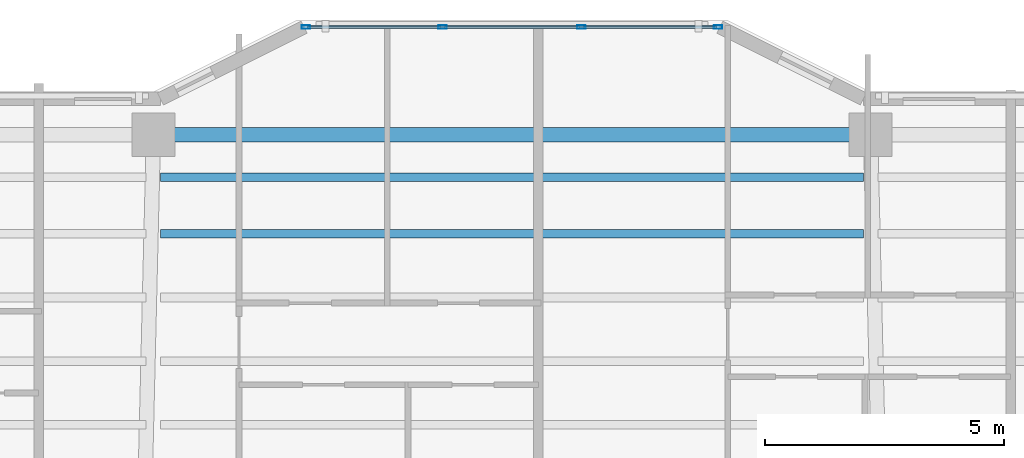
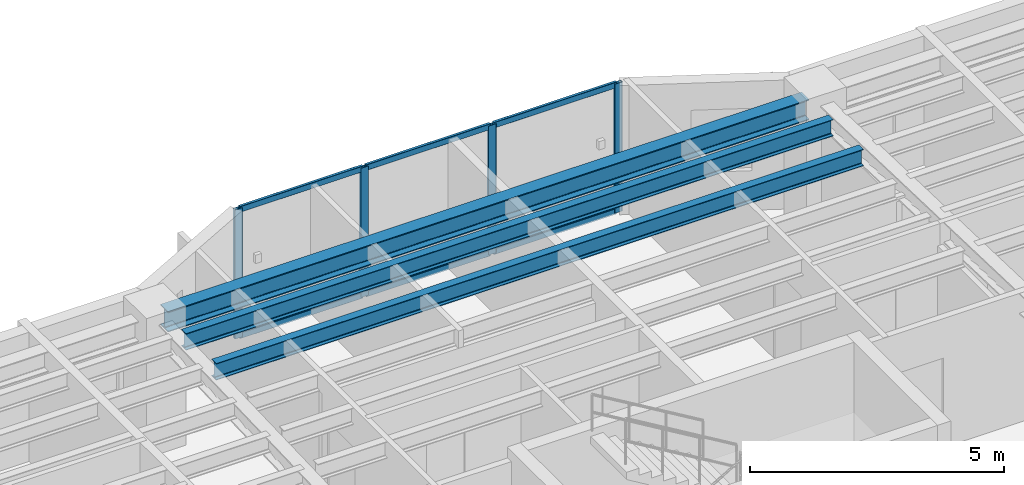
# One storey, part 4 of 16: 10 members, 3 beams, 1 element without a shape of its own.
"""IFC4 building model written with IfcOpenShell, lengths in metres."""

from ifc_helpers import new_model, si_unit, direction, frame, origin, origin_2d, place, context, subcontext, project, spatial, hollow_rectangle, i_section, extrude, material, layer, layer_set, material_profile, profile_set, type_object, element, aggregate, save


model = new_model("IFC4")

# Units and contexts
model_context = context("Model", 3, precision=1e-05, world=origin(), true_north=direction((0.0, 1.0)))
body_context = subcontext(model_context, "Body", "Model", "MODEL_VIEW")
ifc_project = project(units=[si_unit("LENGTHUNIT", "METRE"), si_unit("AREAUNIT", "SQUARE_METRE"), si_unit("VOLUMEUNIT", "CUBIC_METRE"), si_unit("PLANEANGLEUNIT", "RADIAN"), si_unit("MASSUNIT", "GRAM", prefix="KILO")], contexts=[model_context])

# Site, building, storey
site_placement = place(None, origin())
site = spatial("IfcSite", under=ifc_project, at=site_placement, CompositionType="ELEMENT")
building_placement = place(site_placement, origin())
building = spatial("IfcBuilding", under=site, at=building_placement, Name="Tarnavaz Court Tower", CompositionType="ELEMENT")
storey_placement = place(building_placement, frame((0.0, 0.0, 152.699951171875)))
storey = spatial("IfcBuildingStorey", under=building, at=storey_placement, Name="L41", CompositionType="ELEMENT", Elevation=152.699951171875)

# Beams
ifc_material_1 = material(Name="Steel S355", Category="steel")
ifc_material_profile_1 = material_profile(ifc_material_1, i_section(OverallWidth=0.179931640625, OverallDepth=0.39990234375, WebThickness=0.008544921875, FlangeThickness=0.013427734375, FilletRadius=0.02099609375, at=origin_2d()), Name="IPE 400")
ifc_profile_set_1 = profile_set([ifc_material_profile_1], Name="Steel S355")
beam_type_1 = type_object("IfcBeamType", Name="BM-J-IPE400", PredefinedType="JOIST", material=ifc_profile_set_1)
for number, where, z_axis, x_axis, name in (
    (1, (-7.35009765625, 18.327880859375, 2.900146484375), (1.0, 0.0, 0.0), (0.0, 1.0, 0.0), "L41 Beam JN4-2"),
    (2, (-7.35009765625, 19.511962890625, 2.900146484375), (1.0, 0.0, 0.0), (0.0, 1.0, 0.0), "L41 Beam JN5-2"),
):
    element("IfcBeam", number, at=place(storey_placement, frame(where, z_axis=z_axis, x_axis=x_axis)), inside=storey, type_object=beam_type_1, Name=name, PredefinedType="JOIST", context=body_context, shape_type="SweptSolid", body=[
        extrude(i_section(OverallWidth=0.179931640625, OverallDepth=0.39990234375, WebThickness=0.008544921875, FlangeThickness=0.013427734375, FilletRadius=0.02099609375, at=origin_2d()), origin(), (0.0, 0.0, 1.0), 14.7001953125),
    ])
ifc_material_profile_2 = material_profile(ifc_material_1, i_section(OverallWidth=0.300048828125, OverallDepth=0.489990234375, WebThickness=0.011962890625, FlangeThickness=0.02294921875, FilletRadius=0.027099609375, at=origin_2d()), Name="HEA 500")
ifc_profile_set_2 = profile_set([ifc_material_profile_2], Name="Steel S355")
beam_type_2 = type_object("IfcBeamType", Name="BM-SP-HEA500", PredefinedType="SPANDREL", material=ifc_profile_set_2)
beam_placement = place(storey_placement, frame((-7.280029296875, 20.39990234375, 2.85498046875), z_axis=(1.0, 0.0, 0.0), x_axis=(0.0, 1.0, 0.0)))
element("IfcBeam", 3, at=beam_placement, inside=storey, type_object=beam_type_2, Name="L41 Beam PR-PN-2-PN-3", PredefinedType="SPANDREL", context=body_context, shape_type="SweptSolid", body=[
    extrude(i_section(OverallWidth=0.300048828125, OverallDepth=0.489990234375, WebThickness=0.011962890625, FlangeThickness=0.02294921875, FilletRadius=0.027099609375, at=origin_2d()), origin(), (0.0, 0.0, 1.0), 14.56005859375),
])

# Curtain wall, members
ifc_material_2 = material(Name="Anodised Aluminium 6063-T6 and Solar Low-E Glazing", Category="aluminium")
ifc_layer = layer(ifc_material_2, 0.159912109375)
ifc_layer_set = layer_set([ifc_layer], Name="Anodised Aluminium 6063-T6 and Solar Low-E Glazing")
curtain_wall_type = type_object("IfcCurtainWallType", Name="CW-SYS-03", PredefinedType="NOTDEFINED", material=ifc_layer_set)
curtain_wall_placement = place(storey_placement, origin())
curtain_wall = element("IfcCurtainWall", 4, at=curtain_wall_placement, inside=storey, type_object=curtain_wall_type, Name="L41 Iwan Prow Curtain Wall 7", PredefinedType="NOTDEFINED")
ifc_material_3 = material(Name="Anodised Aluminium 6063-T6", Category="aluminium")
ifc_material_profile_3 = material_profile(ifc_material_3, hollow_rectangle(XDim=0.074951171875, YDim=0.179931640625, WallThickness=0.0048828125, InnerFilletRadius=0.0048828125, OuterFilletRadius=0.010009765625, at=origin_2d()), Name="ALU RHS 180X75X5")
ifc_profile_set_3 = profile_set([ifc_material_profile_3], Name="Anodised Aluminium 6063-T6")
member_type_1 = type_object("IfcMemberType", Name="CW-MUL-180", PredefinedType="MULLION", material=ifc_profile_set_3)
member_1_placement = place(storey_placement, frame((-4.3125, 22.64990234375, 0.0), z_axis=(0.0, 0.0, 1.0), x_axis=(0.0, 1.0, 0.0)))
member_1 = element("IfcMember", 5, at=member_1_placement, type_object=member_type_1, Name="CW mullion 1", PredefinedType="MULLION", context=body_context, shape_type="SweptSolid", body=[
    extrude(hollow_rectangle(XDim=0.074951171875, YDim=0.179931640625, WallThickness=0.0048828125, InnerFilletRadius=0.0048828125, OuterFilletRadius=0.010009765625, at=origin_2d()), origin(), (0.0, 0.0, 1.0), 3.10009765625),
])
member_2_placement = place(storey_placement, frame((-1.449951171875, 22.64990234375, 0.0), z_axis=(0.0, 0.0, 1.0), x_axis=(0.0, 1.0, 0.0)))
member_2 = element("IfcMember", 6, at=member_2_placement, type_object=member_type_1, Name="CW mullion 2", PredefinedType="MULLION", context=body_context, shape_type="SweptSolid", body=[
    extrude(hollow_rectangle(XDim=0.074951171875, YDim=0.179931640625, WallThickness=0.0048828125, InnerFilletRadius=0.0048828125, OuterFilletRadius=0.010009765625, at=origin_2d()), origin(), (0.0, 0.0, 1.0), 3.10009765625),
])
member_3_placement = place(storey_placement, frame((1.449951171875, 22.64990234375, 0.0), z_axis=(0.0, 0.0, 1.0), x_axis=(0.0, 1.0, 0.0)))
member_3 = element("IfcMember", 7, at=member_3_placement, type_object=member_type_1, Name="CW mullion 3", PredefinedType="MULLION", context=body_context, shape_type="SweptSolid", body=[
    extrude(hollow_rectangle(XDim=0.074951171875, YDim=0.179931640625, WallThickness=0.0048828125, InnerFilletRadius=0.0048828125, OuterFilletRadius=0.010009765625, at=origin_2d()), origin(), (0.0, 0.0, 1.0), 3.10009765625),
])
member_4_placement = place(storey_placement, frame((4.3125, 22.64990234375, 0.0), z_axis=(0.0, 0.0, 1.0), x_axis=(0.0, 1.0, 0.0)))
member_4 = element("IfcMember", 8, at=member_4_placement, type_object=member_type_1, Name="CW mullion 4", PredefinedType="MULLION", context=body_context, shape_type="SweptSolid", body=[
    extrude(hollow_rectangle(XDim=0.074951171875, YDim=0.179931640625, WallThickness=0.0048828125, InnerFilletRadius=0.0048828125, OuterFilletRadius=0.010009765625, at=origin_2d()), origin(), (0.0, 0.0, 1.0), 3.10009765625),
])
ifc_material_profile_4 = material_profile(ifc_material_3, hollow_rectangle(XDim=0.06494140625, YDim=0.139892578125, WallThickness=0.00390625, InnerFilletRadius=0.00390625, OuterFilletRadius=0.008056640625, at=origin_2d()), Name="ALU RHS 140X65X4")
ifc_profile_set_4 = profile_set([ifc_material_profile_4], Name="Anodised Aluminium 6063-T6")
member_type_2 = type_object("IfcMemberType", Name="CW-TRN-140", PredefinedType="USERDEFINED", material=ifc_profile_set_4)
member_5_placement = place(storey_placement, frame((-4.27490234375, 22.64990234375, 0.032470703125), z_axis=(1.0, 0.0, 0.0), x_axis=(0.0, 1.0, 0.0)))
member_5 = element("IfcMember", 9, at=member_5_placement, type_object=member_type_2, Name="CW transom 1.1", ObjectType="TRANSOM", PredefinedType="USERDEFINED", context=body_context, shape_type="SweptSolid", body=[
    extrude(hollow_rectangle(XDim=0.06494140625, YDim=0.139892578125, WallThickness=0.00390625, InnerFilletRadius=0.00390625, OuterFilletRadius=0.008056640625, at=origin_2d()), origin(), (0.0, 0.0, 1.0), 2.787353515625),
])
member_6_placement = place(storey_placement, frame((-4.27490234375, 22.64990234375, 3.067626953125), z_axis=(1.0, 0.0, 0.0), x_axis=(0.0, 1.0, 0.0)))
member_6 = element("IfcMember", 10, at=member_6_placement, type_object=member_type_2, Name="CW transom 1.2", ObjectType="TRANSOM", PredefinedType="USERDEFINED", context=body_context, shape_type="SweptSolid", body=[
    extrude(hollow_rectangle(XDim=0.06494140625, YDim=0.139892578125, WallThickness=0.00390625, InnerFilletRadius=0.00390625, OuterFilletRadius=0.008056640625, at=origin_2d()), origin(), (0.0, 0.0, 1.0), 2.787353515625),
])
member_7_placement = place(storey_placement, frame((-1.41259765625, 22.64990234375, 0.032470703125), z_axis=(1.0, 0.0, 0.0), x_axis=(0.0, 1.0, 0.0)))
member_7 = element("IfcMember", 11, at=member_7_placement, type_object=member_type_2, Name="CW transom 2.1", ObjectType="TRANSOM", PredefinedType="USERDEFINED", context=body_context, shape_type="SweptSolid", body=[
    extrude(hollow_rectangle(XDim=0.06494140625, YDim=0.139892578125, WallThickness=0.00390625, InnerFilletRadius=0.00390625, OuterFilletRadius=0.008056640625, at=origin_2d()), origin(), (0.0, 0.0, 1.0), 2.8251953125),
])
member_8_placement = place(storey_placement, frame((-1.41259765625, 22.64990234375, 3.067626953125), z_axis=(1.0, 0.0, 0.0), x_axis=(0.0, 1.0, 0.0)))
member_8 = element("IfcMember", 12, at=member_8_placement, type_object=member_type_2, Name="CW transom 2.2", ObjectType="TRANSOM", PredefinedType="USERDEFINED", context=body_context, shape_type="SweptSolid", body=[
    extrude(hollow_rectangle(XDim=0.06494140625, YDim=0.139892578125, WallThickness=0.00390625, InnerFilletRadius=0.00390625, OuterFilletRadius=0.008056640625, at=origin_2d()), origin(), (0.0, 0.0, 1.0), 2.8251953125),
])
member_9_placement = place(storey_placement, frame((1.487548828125, 22.64990234375, 0.032470703125), z_axis=(1.0, 0.0, 0.0), x_axis=(0.0, 1.0, 0.0)))
member_9 = element("IfcMember", 13, at=member_9_placement, type_object=member_type_2, Name="CW transom 3.1", ObjectType="TRANSOM", PredefinedType="USERDEFINED", context=body_context, shape_type="SweptSolid", body=[
    extrude(hollow_rectangle(XDim=0.06494140625, YDim=0.139892578125, WallThickness=0.00390625, InnerFilletRadius=0.00390625, OuterFilletRadius=0.008056640625, at=origin_2d()), origin(), (0.0, 0.0, 1.0), 2.787353515625),
])
member_10_placement = place(storey_placement, frame((1.487548828125, 22.64990234375, 3.067626953125), z_axis=(1.0, 0.0, 0.0), x_axis=(0.0, 1.0, 0.0)))
member_10 = element("IfcMember", 14, at=member_10_placement, type_object=member_type_2, Name="CW transom 3.2", ObjectType="TRANSOM", PredefinedType="USERDEFINED", context=body_context, shape_type="SweptSolid", body=[
    extrude(hollow_rectangle(XDim=0.06494140625, YDim=0.139892578125, WallThickness=0.00390625, InnerFilletRadius=0.00390625, OuterFilletRadius=0.008056640625, at=origin_2d()), origin(), (0.0, 0.0, 1.0), 2.787353515625),
])
aggregate(curtain_wall, [member_1, member_2, member_3, member_4, member_5, member_6, member_7, member_8, member_9, member_10])

save(model, "model.ifc")
